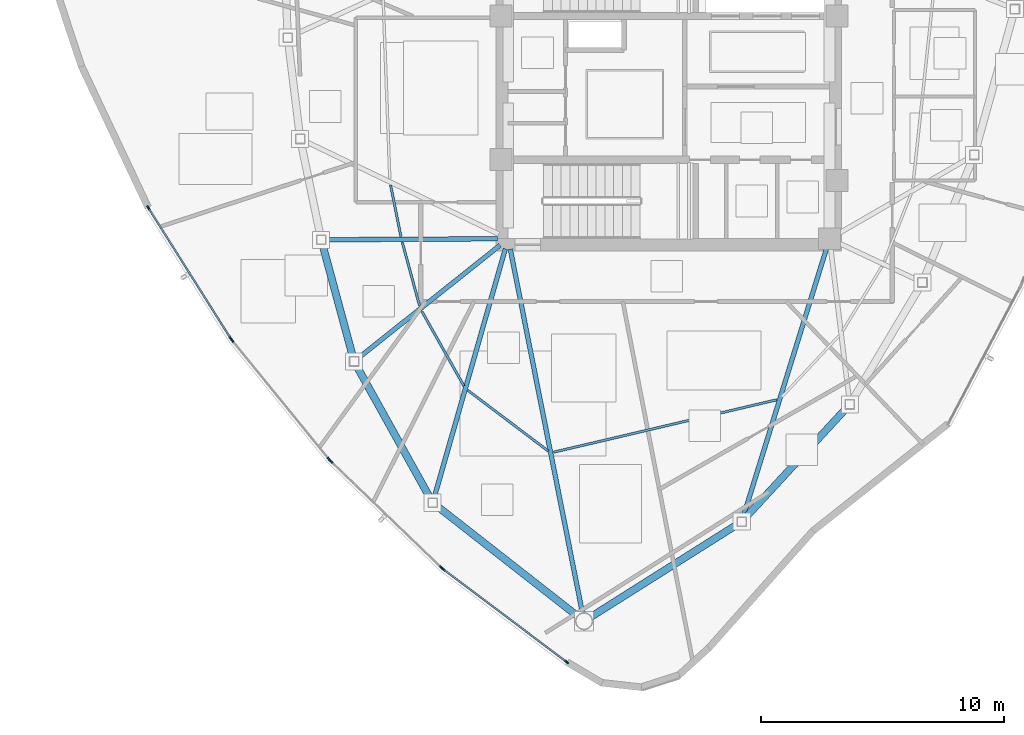
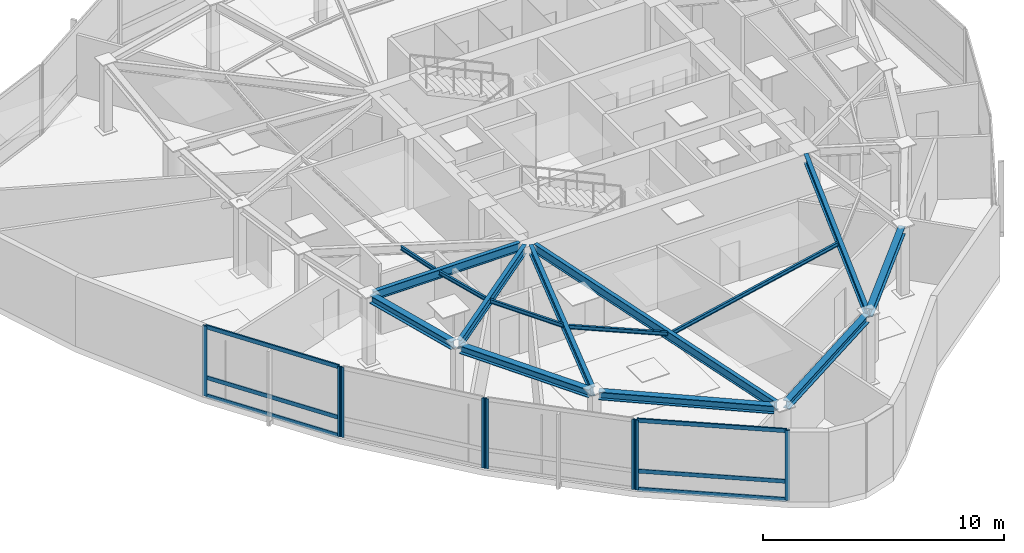
# One storey, part 2 of 12: 15 beams, 14 members, 4 elements without a shape of their own.
"""IFC4 building model written with IfcOpenShell, lengths in metres."""

from ifc_helpers import new_model, si_unit, direction, frame, origin, origin_2d, place, context, subcontext, project, spatial, hollow_rectangle, i_section, extrude, source, transform, mapped, material, layer, layer_set, material_profile, profile_set, type_object, type_shapes, element, aggregate, save


model = new_model("IFC4")

# Units and contexts
model_context = context("Model", 3, precision=1e-05, world=origin(), true_north=direction((0.0, 1.0)))
body_context = subcontext(model_context, "Body", "Model", "MODEL_VIEW")
ifc_project = project(units=[si_unit("LENGTHUNIT", "METRE"), si_unit("AREAUNIT", "SQUARE_METRE"), si_unit("VOLUMEUNIT", "CUBIC_METRE"), si_unit("PLANEANGLEUNIT", "RADIAN"), si_unit("MASSUNIT", "GRAM", prefix="KILO")], contexts=[model_context])

# Site, building, storey
site_placement = place(None, origin())
site = spatial("IfcSite", under=ifc_project, at=site_placement, CompositionType="ELEMENT")
building_placement = place(site_placement, origin())
building = spatial("IfcBuilding", under=site, at=building_placement, Name="Tavelor Broadcast Tower", CompositionType="ELEMENT")
storey_placement = place(building_placement, frame((0.0, 0.0, 321.5)))
storey = spatial("IfcBuildingStorey", under=building, at=storey_placement, Name="L77", CompositionType="ELEMENT", Elevation=321.5)

# Beams
ifc_material_1 = material(Name="Steel S355", Category="steel")
ifc_material_profile_1 = material_profile(ifc_material_1, i_section(OverallWidth=0.10009765625, OverallDepth=0.199951171875, WebThickness=0.005615234375, FlangeThickness=0.008544921875, at=origin_2d()), Name="IPE 200")
ifc_profile_set_1 = profile_set([ifc_material_profile_1], Name="Steel S355")
beam_type_1 = type_object("IfcBeamType", Name="Composite Floor Joist T8 IPE 200", PredefinedType="JOIST", material=ifc_profile_set_1)
beam_1_placement = place(storey_placement, frame((38.564208984375, 41.011474609375, 3.449951171875), z_axis=(0.197508991617, -0.980301075298, 0.0), x_axis=(0.980301075298, 0.197508991617, 0.0)))
element("IfcBeam", 1, at=beam_1_placement, inside=storey, type_object=beam_type_1, Name="L77 Secondary Composite Floor Joist 03", PredefinedType="JOIST", context=body_context, shape_type="SweptSolid", body=[
    extrude(i_section(OverallWidth=0.10009765625, OverallDepth=0.199951171875, WebThickness=0.005615234375, FlangeThickness=0.008544921875, at=origin_2d()), origin(), (0.0, 0.0, 1.0), 2.156982421875),
])
beam_2_placement = place(storey_placement, frame((39.047119140625, 38.656005859375, 3.449951171875), z_axis=(0.262422477479, -0.964953078296, 0.0), x_axis=(0.964953078296, 0.262422477479, 0.0)))
element("IfcBeam", 2, at=beam_2_placement, inside=storey, type_object=beam_type_1, Name="L77 Secondary Composite Floor Joist 04", PredefinedType="JOIST", context=body_context, shape_type="SweptSolid", body=[
    extrude(i_section(OverallWidth=0.10009765625, OverallDepth=0.199951171875, WebThickness=0.005615234375, FlangeThickness=0.008544921875, at=origin_2d()), origin(), (0.0, 0.0, 1.0), 2.705322265625),
])
beam_3_placement = place(storey_placement, frame((39.850341796875, 35.818115234375, 3.449951171875), z_axis=(0.491325237054, -0.870976183046, 0.0), x_axis=(0.870976183046, 0.491325237054, 0.0)))
element("IfcBeam", 3, at=beam_3_placement, inside=storey, type_object=beam_type_1, Name="L77 Secondary Composite Floor Joist 05", PredefinedType="JOIST", context=body_context, shape_type="SweptSolid", body=[
    extrude(i_section(OverallWidth=0.10009765625, OverallDepth=0.199951171875, WebThickness=0.005615234375, FlangeThickness=0.008544921875, at=origin_2d()), origin(), (0.0, 0.0, 1.0), 3.517578125),
])
beam_4_placement = place(storey_placement, frame((41.738037109375, 32.572021484375, 3.449951171875), z_axis=(0.798228709669, -0.602354486213, 0.0), x_axis=(0.602354486213, 0.798228709669, 0.0)))
element("IfcBeam", 4, at=beam_4_placement, inside=storey, type_object=beam_type_1, Name="L77 Secondary Composite Floor Joist 06", PredefinedType="JOIST", context=body_context, shape_type="SweptSolid", body=[
    extrude(i_section(OverallWidth=0.10009765625, OverallDepth=0.199951171875, WebThickness=0.005615234375, FlangeThickness=0.008544921875, at=origin_2d()), origin(), (0.0, 0.0, 1.0), 4.14306640625),
])
beam_5_placement = place(storey_placement, frame((45.264404296875, 30.0302734375, 3.449951171875), z_axis=(0.973517343803, 0.2286131696, 0.0), x_axis=(-0.2286131696, 0.973517343803, 0.0)))
element("IfcBeam", 5, at=beam_5_placement, inside=storey, type_object=beam_type_1, Name="L77 Secondary Composite Floor Joist 07", PredefinedType="JOIST", context=body_context, shape_type="SweptSolid", body=[
    extrude(i_section(OverallWidth=0.10009765625, OverallDepth=0.199951171875, WebThickness=0.005615234375, FlangeThickness=0.008544921875, at=origin_2d()), origin(), (0.0, 0.0, 1.0), 9.420166015625),
])
ifc_material_profile_2 = material_profile(ifc_material_1, i_section(OverallWidth=0.300048828125, OverallDepth=0.39990234375, WebThickness=0.013427734375, FlangeThickness=0.02392578125, at=origin_2d()), Name="HEB 400")
ifc_profile_set_2 = profile_set([ifc_material_profile_2], Name="Steel S355")
beam_type_2 = type_object("IfcBeamType", Name="Perimeter Spandrel Beam T8 HEB 400", PredefinedType="SPANDREL", material=ifc_profile_set_2)
beam_6_placement = place(storey_placement, frame((35.7666015625, 38.57177734375, 3.35009765625), z_axis=(0.261091192609, -0.965314140134, 0.0), x_axis=(0.965314140134, 0.261091192609, 0.0)))
element("IfcBeam", 6, at=beam_6_placement, inside=storey, type_object=beam_type_2, Name="L77 Framed-Tube Ring Spandrel 04", PredefinedType="SPANDREL", context=body_context, shape_type="SweptSolid", body=[
    extrude(i_section(OverallWidth=0.300048828125, OverallDepth=0.39990234375, WebThickness=0.013427734375, FlangeThickness=0.02392578125, at=origin_2d()), origin(), (0.0, 0.0, 1.0), 4.793212890625),
])
beam_7_placement = place(storey_placement, frame((37.161376953125, 33.591796875, 3.35009765625), z_axis=(0.485960824991, -0.87398059279, 0.0), x_axis=(0.87398059279, 0.485960824991, 0.0)))
element("IfcBeam", 7, at=beam_7_placement, inside=storey, type_object=beam_type_2, Name="L77 Framed-Tube Ring Spandrel 05", PredefinedType="SPANDREL", context=body_context, shape_type="SweptSolid", body=[
    extrude(i_section(OverallWidth=0.300048828125, OverallDepth=0.39990234375, WebThickness=0.013427734375, FlangeThickness=0.02392578125, at=origin_2d()), origin(), (0.0, 0.0, 1.0), 6.25927734375),
])
beam_8_placement = place(storey_placement, frame((40.44775390625, 27.835205078125, 3.35009765625), z_axis=(0.787507799936, -0.616304685233, 0.0), x_axis=(0.616304685233, 0.787507799936, 0.0)))
element("IfcBeam", 8, at=beam_8_placement, inside=storey, type_object=beam_type_2, Name="L77 Framed-Tube Ring Spandrel 06", PredefinedType="SPANDREL", context=body_context, shape_type="SweptSolid", body=[
    extrude(i_section(OverallWidth=0.300048828125, OverallDepth=0.39990234375, WebThickness=0.013427734375, FlangeThickness=0.02392578125, at=origin_2d()), origin(), (0.0, 0.0, 1.0), 7.362548828125),
])
beam_9_placement = place(storey_placement, frame((46.80322265625, 23.26953125, 3.35009765625), z_axis=(0.845619104197, 0.533786783855, 0.0), x_axis=(-0.533786783855, 0.845619104197, 0.0)))
element("IfcBeam", 9, at=beam_9_placement, inside=storey, type_object=beam_type_2, Name="L77 Framed-Tube Ring Spandrel 07", PredefinedType="SPANDREL", context=body_context, shape_type="SweptSolid", body=[
    extrude(i_section(OverallWidth=0.300048828125, OverallDepth=0.39990234375, WebThickness=0.013427734375, FlangeThickness=0.02392578125, at=origin_2d()), origin(), (0.0, 0.0, 1.0), 7.127685546875),
])
beam_10_placement = place(storey_placement, frame((53.123046875, 27.318115234375, 3.35009765625), z_axis=(0.677791441508, 0.735254215778, 0.0), x_axis=(-0.735254215778, 0.677791441508, 0.0)))
element("IfcBeam", 10, at=beam_10_placement, inside=storey, type_object=beam_type_2, Name="L77 Framed-Tube Ring Spandrel 08", PredefinedType="SPANDREL", context=body_context, shape_type="SweptSolid", body=[
    extrude(i_section(OverallWidth=0.300048828125, OverallDepth=0.39990234375, WebThickness=0.013427734375, FlangeThickness=0.02392578125, at=origin_2d()), origin(), (0.0, 0.0, 1.0), 6.164794921875),
])
ifc_material_profile_3 = material_profile(ifc_material_1, i_section(OverallWidth=0.18994140625, OverallDepth=0.449951171875, WebThickness=0.009521484375, FlangeThickness=0.0146484375, at=origin_2d()), Name="IPE 450")
ifc_profile_set_3 = profile_set([ifc_material_profile_3], Name="Steel S355")
beam_type_3 = type_object("IfcBeamType", Name="Radial Floor Girder T8 IPE 450", PredefinedType="BEAM", material=ifc_profile_set_3)
beam_11_placement = place(storey_placement, frame((42.968017578125, 38.797607421875, 3.324951171875), z_axis=(-0.999984499874, -0.005567765406, 0.0), x_axis=(0.005567765406, -0.999984499874, 0.0)))
element("IfcBeam", 11, at=beam_11_placement, inside=storey, type_object=beam_type_3, Name="L77 Radial Primary Floor Girder 04", PredefinedType="BEAM", context=body_context, shape_type="SweptSolid", body=[
    extrude(i_section(OverallWidth=0.18994140625, OverallDepth=0.449951171875, WebThickness=0.009521484375, FlangeThickness=0.0146484375, at=origin_2d()), origin(), (0.0, 0.0, 1.0), 7.0595703125),
])
beam_12_placement = place(storey_placement, frame((43.06201171875, 38.531005859375, 3.324951171875), z_axis=(-0.782378063296, -0.622803794203, 0.0), x_axis=(0.622803794203, -0.782378063296, 0.0)))
element("IfcBeam", 12, at=beam_12_placement, inside=storey, type_object=beam_type_3, Name="L77 Radial Primary Floor Girder 05", PredefinedType="BEAM", context=body_context, shape_type="SweptSolid", body=[
    extrude(i_section(OverallWidth=0.18994140625, OverallDepth=0.449951171875, WebThickness=0.009521484375, FlangeThickness=0.0146484375, at=origin_2d()), origin(), (0.0, 0.0, 1.0), 7.46923828125),
])
beam_13_placement = place(storey_placement, frame((43.28125, 38.384765625, 3.324951171875), z_axis=(-0.275093242186, -0.961417551381, 0.0), x_axis=(0.961417551381, -0.275093242186, 0.0)))
element("IfcBeam", 13, at=beam_13_placement, inside=storey, type_object=beam_type_3, Name="L77 Radial Primary Floor Girder 06", PredefinedType="BEAM", context=body_context, shape_type="SweptSolid", body=[
    extrude(i_section(OverallWidth=0.18994140625, OverallDepth=0.449951171875, WebThickness=0.009521484375, FlangeThickness=0.0146484375, at=origin_2d()), origin(), (0.0, 0.0, 1.0), 10.65771484375),
])
beam_14_placement = place(storey_placement, frame((43.48388671875, 38.376220703125, 3.324951171875), z_axis=(0.194446659361, -0.980913093328, 0.0), x_axis=(0.980913093328, 0.194446659361, 0.0)))
element("IfcBeam", 14, at=beam_14_placement, inside=storey, type_object=beam_type_3, Name="L77 Radial Primary Floor Girder 07", PredefinedType="BEAM", context=body_context, shape_type="SweptSolid", body=[
    extrude(i_section(OverallWidth=0.18994140625, OverallDepth=0.449951171875, WebThickness=0.009521484375, FlangeThickness=0.0146484375, at=origin_2d()), origin(), (0.0, 0.0, 1.0), 15.2451171875),
])
beam_15_placement = place(storey_placement, frame((56.471923828125, 38.387451171875, 3.324951171875), z_axis=(-0.296386578424, -0.955068058376, 0.0), x_axis=(0.955068058376, -0.296386578424, 0.0)))
element("IfcBeam", 15, at=beam_15_placement, inside=storey, type_object=beam_type_3, Name="L77 Radial Primary Floor Girder 08", PredefinedType="BEAM", context=body_context, shape_type="SweptSolid", body=[
    extrude(i_section(OverallWidth=0.18994140625, OverallDepth=0.449951171875, WebThickness=0.009521484375, FlangeThickness=0.0146484375, at=origin_2d()), origin(), (0.0, 0.0, 1.0), 11.546142578125),
])

# Curtain wall, members
ifc_material_2 = material(Name="Architectural Anodized Aluminium", Category="aluminium")
ifc_layer = layer(ifc_material_2, 0.199951171875)
ifc_layer_set = layer_set([ifc_layer], Name="Architectural Anodized Aluminium")
curtain_wall_type = type_object("IfcCurtainWallType", Name="Tower High-Zone Triple-Glazed Curtain Wall CW04", PredefinedType="NOTDEFINED", material=ifc_layer_set)
curtain_wall_1_placement = place(storey_placement, origin())
curtain_wall_1 = element("IfcCurtainWall", 16, at=curtain_wall_1_placement, inside=storey, type_object=curtain_wall_type, Name="L77 Curtain Wall CW04 Run 853", PredefinedType="NOTDEFINED")
ifc_material_profile_4 = material_profile(ifc_material_2, hollow_rectangle(XDim=0.070068359375, YDim=0.199951171875, WallThickness=0.02197265625, at=origin_2d()), Name="RHS 70x200x22")
ifc_profile_set_4 = profile_set([ifc_material_profile_4], Name="Architectural Anodized Aluminium")
member_type_1 = type_object("IfcMemberType", Name="CW04 Extruded Aluminium Mullion 70x200", PredefinedType="MULLION", material=ifc_profile_set_4)
shared_shape_1 = source(origin(), body_context, "Body", "SweptSolid", [
    extrude(hollow_rectangle(XDim=0.070068359375, YDim=0.199951171875, WallThickness=0.02197265625, at=origin_2d()), origin(), (0.0, 0.0, 1.0), 3.550048828125),
])
type_shapes(member_type_1, [shared_shape_1])
member_1_placement = place(storey_placement, frame((28.619384765625, 40.06201171875, 0.0), z_axis=(0.0, 0.0, 1.0), x_axis=(0.845973275009, 0.533225297571, 0.0)))
member_1 = element("IfcMember", 17, at=member_1_placement, type_object=member_type_1, Name="CW04 mullion 1", PredefinedType="MULLION", context=body_context, shape_type="MappedRepresentation", body=[
    mapped(shared_shape_1, transform((0.0, 0.0, 0.0), scale=1.0)),
])
member_2_placement = place(storey_placement, frame((31.993408203125, 34.709228515625, 0.0), z_axis=(0.0, 0.0, 1.0), x_axis=(0.845973275009, 0.533225297571, 0.0)))
member_2 = element("IfcMember", 18, at=member_2_placement, type_object=member_type_1, Name="CW04 mullion 2", PredefinedType="MULLION", context=body_context, shape_type="MappedRepresentation", body=[
    mapped(shared_shape_1, transform((0.0, 0.0, 0.0), scale=1.0)),
])

curtain_wall_2_placement = place(storey_placement, origin())
curtain_wall_2 = element("IfcCurtainWall", 19, at=curtain_wall_2_placement, inside=storey, type_object=curtain_wall_type, Name="L77 Curtain Wall CW04 Run 854", PredefinedType="NOTDEFINED")
member_3_placement = place(storey_placement, frame((32.051513671875, 34.628173828125, 0.0), z_axis=(0.0, 0.0, 1.0), x_axis=(0.775215093515, 0.631697363289, 0.0)))
member_3 = element("IfcMember", 20, at=member_3_placement, type_object=member_type_1, Name="CW04 mullion 1", PredefinedType="MULLION", context=body_context, shape_type="MappedRepresentation", body=[
    mapped(shared_shape_1, transform((0.0, 0.0, 0.0), scale=1.0)),
])
member_4_placement = place(storey_placement, frame((36.039306640625, 29.734619140625, 0.0), z_axis=(0.0, 0.0, 1.0), x_axis=(0.775215093515, 0.631697363289, 0.0)))
member_4 = element("IfcMember", 21, at=member_4_placement, type_object=member_type_1, Name="CW04 mullion 2", PredefinedType="MULLION", context=body_context, shape_type="MappedRepresentation", body=[
    mapped(shared_shape_1, transform((0.0, 0.0, 0.0), scale=1.0)),
])
aggregate(curtain_wall_2, [member_3, member_4])

curtain_wall_3_placement = place(storey_placement, origin())
curtain_wall_3 = element("IfcCurtainWall", 22, at=curtain_wall_3_placement, inside=storey, type_object=curtain_wall_type, Name="L77 Curtain Wall CW04 Run 855", PredefinedType="NOTDEFINED")
member_5_placement = place(storey_placement, frame((36.10693359375, 29.6611328125, 0.0), z_axis=(0.0, 0.0, 1.0), x_axis=(0.693072706747, 0.720867687695, 0.0)))
member_5 = element("IfcMember", 23, at=member_5_placement, type_object=member_type_1, Name="CW04 mullion 1", PredefinedType="MULLION", context=body_context, shape_type="MappedRepresentation", body=[
    mapped(shared_shape_1, transform((0.0, 0.0, 0.0), scale=1.0)),
])
member_6_placement = place(storey_placement, frame((40.6572265625, 25.2861328125, 0.0), z_axis=(0.0, 0.0, 1.0), x_axis=(0.693072706747, 0.720867687695, 0.0)))
member_6 = element("IfcMember", 24, at=member_6_placement, type_object=member_type_1, Name="CW04 mullion 2", PredefinedType="MULLION", context=body_context, shape_type="MappedRepresentation", body=[
    mapped(shared_shape_1, transform((0.0, 0.0, 0.0), scale=1.0)),
])
aggregate(curtain_wall_3, [member_5, member_6])

curtain_wall_4_placement = place(storey_placement, origin())
curtain_wall_4 = element("IfcCurtainWall", 25, at=curtain_wall_4_placement, inside=storey, type_object=curtain_wall_type, Name="L77 Curtain Wall CW04 Run 856", PredefinedType="NOTDEFINED")
member_7_placement = place(storey_placement, frame((40.7333984375, 25.221435546875, 0.0), z_axis=(0.0, 0.0, 1.0), x_axis=(0.600747429214, 0.799438882149, 0.0)))
member_7 = element("IfcMember", 26, at=member_7_placement, type_object=member_type_1, Name="CW04 mullion 1", PredefinedType="MULLION", context=body_context, shape_type="MappedRepresentation", body=[
    mapped(shared_shape_1, transform((0.0, 0.0, 0.0), scale=1.0)),
])
member_8_placement = place(storey_placement, frame((45.79248046875, 21.419677734375, 0.0), z_axis=(0.0, 0.0, 1.0), x_axis=(0.600747429214, 0.799438882149, 0.0)))
member_8 = element("IfcMember", 27, at=member_8_placement, type_object=member_type_1, Name="CW04 mullion 2", PredefinedType="MULLION", context=body_context, shape_type="MappedRepresentation", body=[
    mapped(shared_shape_1, transform((0.0, 0.0, 0.0), scale=1.0)),
])

# Member
ifc_material_profile_5 = material_profile(ifc_material_2, hollow_rectangle(XDim=0.070068359375, YDim=0.199951171875, WallThickness=0.02197265625, at=origin_2d()), Name="RHS 70x200x22")
ifc_profile_set_5 = profile_set([ifc_material_profile_5], Name="Architectural Anodized Aluminium")
member_type_2 = type_object("IfcMemberType", Name="CW04 Extruded Aluminium Transom 70x200", PredefinedType="USERDEFINED", material=ifc_profile_set_5)
shared_shape_2 = source(origin(), body_context, "Body", "SweptSolid", [
    extrude(hollow_rectangle(XDim=0.070068359375, YDim=0.199951171875, WallThickness=0.02197265625, at=origin_2d()), origin(), (0.0, 0.0, 1.0), 6.257568359375),
])
member_9_placement = place(storey_placement, frame((28.637939453125, 40.032470703125, 0.034912109375), z_axis=(0.533225054063, -0.845973428495, 0.0), x_axis=(0.845973428495, 0.533225054063, 0.0)))
member_9 = element("IfcMember", 28, at=member_9_placement, type_object=member_type_2, Name="CW04 transom 1.1", ObjectType="TRANSOM", PredefinedType="USERDEFINED", context=body_context, shape_type="MappedRepresentation", body=[
    mapped(shared_shape_2, transform((0.0, 0.0, 0.0), scale=1.0)),
])

member_10_placement = place(storey_placement, frame((28.637939453125, 40.032470703125, 0.949951171875), z_axis=(0.533225054063, -0.845973428495, 0.0), x_axis=(0.845973428495, 0.533225054063, 0.0)))
member_10 = element("IfcMember", 29, at=member_10_placement, type_object=member_type_2, Name="CW04 transom 1.2", ObjectType="TRANSOM", PredefinedType="USERDEFINED", context=body_context, shape_type="MappedRepresentation", body=[
    mapped(shared_shape_2, transform((0.0, 0.0, 0.0), scale=1.0)),
])

member_11_placement = place(storey_placement, frame((28.637939453125, 40.032470703125, 3.514892578125), z_axis=(0.533225054063, -0.845973428495, 0.0), x_axis=(0.845973428495, 0.533225054063, 0.0)))
member_11 = element("IfcMember", 30, at=member_11_placement, type_object=member_type_2, Name="CW04 transom 1.3", ObjectType="TRANSOM", PredefinedType="USERDEFINED", context=body_context, shape_type="MappedRepresentation", body=[
    mapped(shared_shape_2, transform((0.0, 0.0, 0.0), scale=1.0)),
])

aggregate(curtain_wall_1, [member_1, member_2, member_9, member_10, member_11])

shared_shape_3 = source(origin(), body_context, "Body", "SweptSolid", [
    extrude(hollow_rectangle(XDim=0.070068359375, YDim=0.199951171875, WallThickness=0.02197265625, at=origin_2d()), origin(), (0.0, 0.0, 1.0), 6.25830078125),
])
type_shapes(member_type_2, [shared_shape_2, shared_shape_3])
member_12_placement = place(storey_placement, frame((40.76123046875, 25.200439453125, 0.034912109375), z_axis=(0.7994332174, -0.600754967451, 0.0), x_axis=(0.600754967451, 0.7994332174, 0.0)))
member_12 = element("IfcMember", 31, at=member_12_placement, type_object=member_type_2, Name="CW04 transom 1.1", ObjectType="TRANSOM", PredefinedType="USERDEFINED", context=body_context, shape_type="MappedRepresentation", body=[
    mapped(shared_shape_3, transform((0.0, 0.0, 0.0), scale=1.0)),
])

member_13_placement = place(storey_placement, frame((40.76123046875, 25.200439453125, 0.949951171875), z_axis=(0.7994332174, -0.600754967451, 0.0), x_axis=(0.600754967451, 0.7994332174, 0.0)))
member_13 = element("IfcMember", 32, at=member_13_placement, type_object=member_type_2, Name="CW04 transom 1.2", ObjectType="TRANSOM", PredefinedType="USERDEFINED", context=body_context, shape_type="MappedRepresentation", body=[
    mapped(shared_shape_3, transform((0.0, 0.0, 0.0), scale=1.0)),
])

member_14_placement = place(storey_placement, frame((40.76123046875, 25.200439453125, 3.514892578125), z_axis=(0.7994332174, -0.600754967451, 0.0), x_axis=(0.600754967451, 0.7994332174, 0.0)))
member_14 = element("IfcMember", 33, at=member_14_placement, type_object=member_type_2, Name="CW04 transom 1.3", ObjectType="TRANSOM", PredefinedType="USERDEFINED", context=body_context, shape_type="MappedRepresentation", body=[
    mapped(shared_shape_3, transform((0.0, 0.0, 0.0), scale=1.0)),
])

aggregate(curtain_wall_4, [member_7, member_8, member_12, member_13, member_14])

save(model, "model.ifc")
